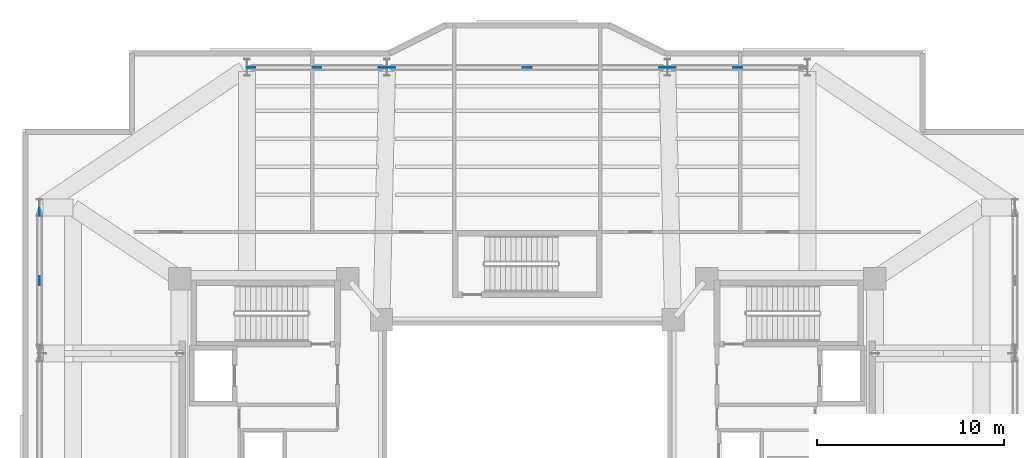
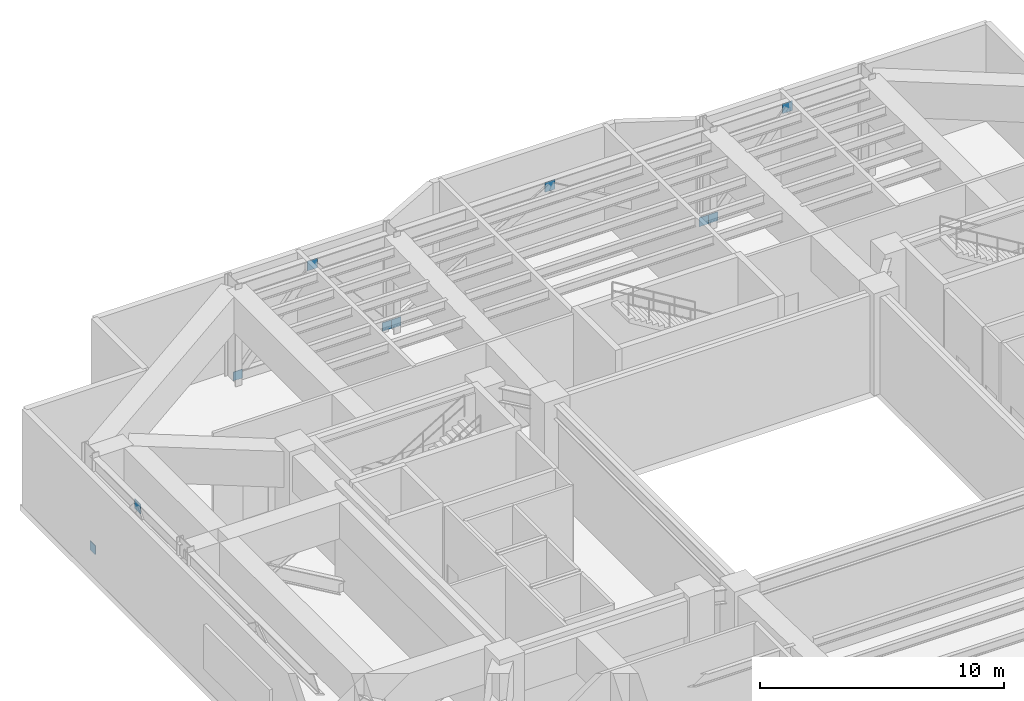
# One storey, part 6 of 13: 10 plates.
"""IFC4 building model written with IfcOpenShell, lengths in metres."""

from ifc_helpers import new_model, si_unit, direction, frame, origin, origin_2d, place, context, subcontext, project, spatial, rectangle, extrude, material, layer, layer_set, type_object, element, save


model = new_model("IFC4")

# Units and contexts
model_context = context("Model", 3, precision=1e-05, world=origin(), true_north=direction((0.0, 1.0)))
body_context = subcontext(model_context, "Body", "Model", "MODEL_VIEW")
ifc_project = project(units=[si_unit("LENGTHUNIT", "METRE"), si_unit("AREAUNIT", "SQUARE_METRE"), si_unit("VOLUMEUNIT", "CUBIC_METRE"), si_unit("PLANEANGLEUNIT", "RADIAN"), si_unit("MASSUNIT", "GRAM", prefix="KILO")], contexts=[model_context])

# Site, building, storey
site_placement = place(None, origin())
site = spatial("IfcSite", under=ifc_project, at=site_placement, CompositionType="ELEMENT")
building_placement = place(site_placement, origin())
building = spatial("IfcBuilding", under=site, at=building_placement, Name="Tarnavaz Court Tower", CompositionType="ELEMENT")
storey_placement = place(building_placement, frame((0.0, 0.0, 127.5)))
storey = spatial("IfcBuildingStorey", under=building, at=storey_placement, Name="L34", CompositionType="ELEMENT", Elevation=127.5)

# Plates
ifc_material = material(Name="Steel S355", Category="steel")
ifc_layer = layer(ifc_material, 0.030029296875)
ifc_layer_set = layer_set([ifc_layer], Name="Steel S355")
plate_type = type_object("IfcPlateType", Name="PL-GUSSET-30", PredefinedType="USERDEFINED", material=ifc_layer_set)
for number, where, z_axis, x_axis, name in (
    (1, (-11.25, 21.300048828125, 4.260009765625), (0.0, 0.0, 1.0), (1.0, 0.0, 0.0), "L34 Belt Truss Apex Gusset & End-Cap Plate 01"),
    (2, (0.0, 21.300048828125, 4.260009765625), (0.0, 0.0, 1.0), (1.0, 0.0, 0.0), "L34 Belt Truss Apex Gusset & End-Cap Plate 02"),
    (3, (11.25, 21.300048828125, 4.260009765625), (0.0, 0.0, 1.0), (1.0, 0.0, 0.0), "L34 Belt Truss Apex Gusset & End-Cap Plate 03"),
    (4, (-26.10009765625, 9.89990234375, 4.260009765625), (0.0, 0.0, 1.0), (0.0, 1.0, 0.0), "L34 Belt Truss Apex Gusset & End-Cap Plate 12"),
):
    element("IfcPlate", number, at=place(storey_placement, frame(where, z_axis=z_axis, x_axis=x_axis)), inside=storey, type_object=plate_type, Name=name, ObjectType="GUSSET PLATE", PredefinedType="USERDEFINED", context=body_context, shape_type="SweptSolid", body=[
        extrude(rectangle(XDim=0.47998046875, YDim=0.030029296875, at=origin_2d()), origin(), (0.0, 0.0, 1.0), 0.47998046875),
    ])
for number, where, z_axis, x_axis, name in (
    (5, (-14.780029296875, 21.300048828125, -0.02001953125), (0.0, 0.0, 1.0), (1.0, 0.0, 0.0), "L34 Structural Brace & Strut End Gusset Plate 037"),
    (6, (-7.719970703125, 21.300048828125, -0.02001953125), (0.0, 0.0, 1.0), (1.0, 0.0, 0.0), "L34 Structural Brace & Strut End Gusset Plate 038"),
    (7, (-7.280029296875, 21.300048828125, -0.02001953125), (0.0, 0.0, 1.0), (1.0, 0.0, 0.0), "L34 Structural Brace & Strut End Gusset Plate 039"),
    (8, (7.280029296875, 21.300048828125, -0.02001953125), (0.0, 0.0, 1.0), (1.0, 0.0, 0.0), "L34 Structural Brace & Strut End Gusset Plate 040"),
    (9, (7.719970703125, 21.300048828125, -0.02001953125), (0.0, 0.0, 1.0), (1.0, 0.0, 0.0), "L34 Structural Brace & Strut End Gusset Plate 041"),
    (10, (-26.10009765625, 13.580078125, -0.02001953125), (0.0, 0.0, 1.0), (0.0, 1.0, 0.0), "L34 Structural Brace & Strut End Gusset Plate 060"),
):
    element("IfcPlate", number, at=place(storey_placement, frame(where, z_axis=z_axis, x_axis=x_axis)), inside=storey, type_object=plate_type, Name=name, ObjectType="GUSSET PLATE", PredefinedType="USERDEFINED", context=body_context, shape_type="SweptSolid", body=[
        extrude(rectangle(XDim=0.43994140625, YDim=0.030029296875, at=origin_2d()), origin(), (0.0, 0.0, 1.0), 0.43994140625),
    ])

save(model, "model.ifc")
